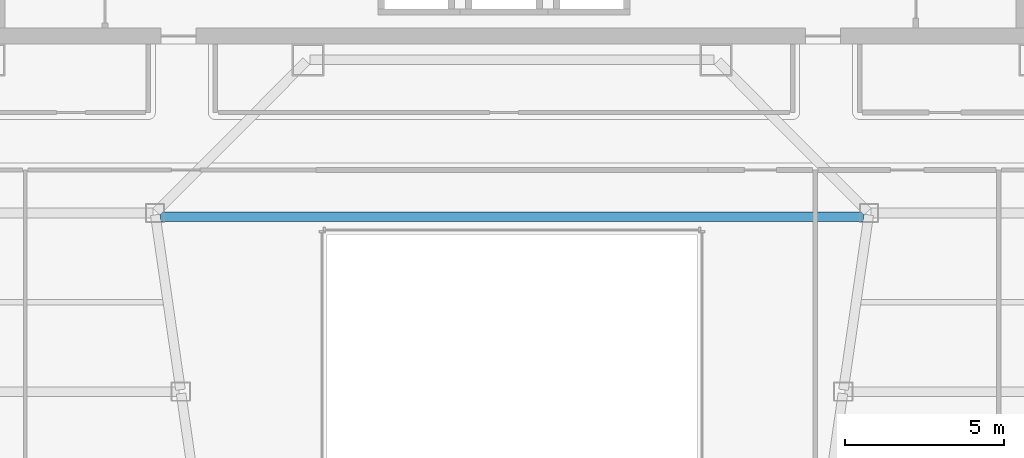
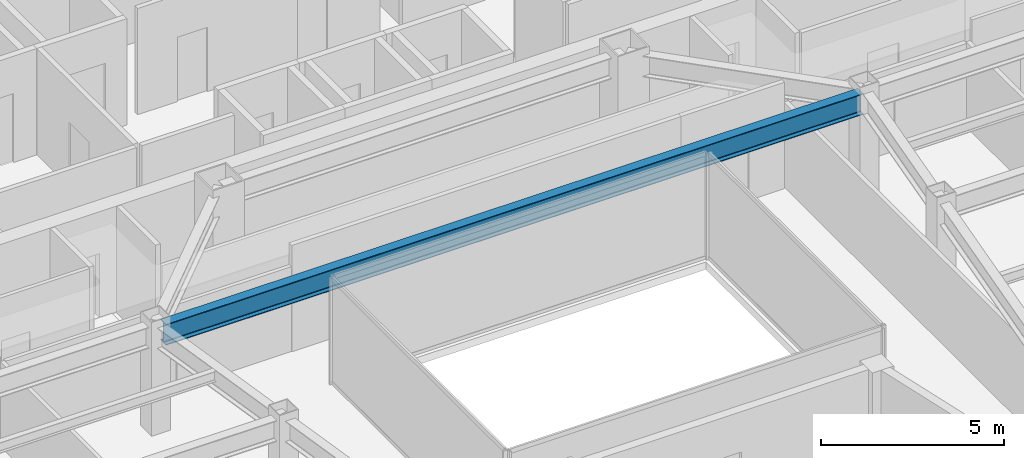
# One storey, part 7 of 31: 1 beam.
"""IFC4 building model written with IfcOpenShell, lengths in metres."""

from ifc_helpers import new_model, si_unit, direction, frame, origin, origin_2d, place, context, subcontext, project, spatial, i_section, extrude, material, material_profile, profile_set, type_object, element, save


model = new_model("IFC4")

# Units and contexts
model_context = context("Model", 3, precision=1e-05, world=origin(), true_north=direction((0.0, 1.0)))
body_context = subcontext(model_context, "Body", "Model", "MODEL_VIEW")
ifc_project = project(units=[si_unit("LENGTHUNIT", "METRE"), si_unit("AREAUNIT", "SQUARE_METRE"), si_unit("VOLUMEUNIT", "CUBIC_METRE"), si_unit("PLANEANGLEUNIT", "RADIAN"), si_unit("MASSUNIT", "GRAM", prefix="KILO")], contexts=[model_context])

# Site, building, storey
site_placement = place(None, origin())
site = spatial("IfcSite", under=ifc_project, at=site_placement, CompositionType="ELEMENT")
building_placement = place(site_placement, origin())
building = spatial("IfcBuilding", under=site, at=building_placement, Name="Saevonmaru Cultural Tower", CompositionType="ELEMENT")
storey_placement = place(building_placement, frame((0.0, 0.0, 167.60009765625)))
storey = spatial("IfcBuildingStorey", under=building, at=storey_placement, Name="L37", CompositionType="ELEMENT", Elevation=167.60009765625)

# Beam
ifc_material = material(Name="Steel SM355", Category="steel")
ifc_material_profile = material_profile(ifc_material, i_section(OverallWidth=0.300048828125, OverallDepth=0.699951171875, WebThickness=0.012939453125, FlangeThickness=0.02392578125, FilletRadius=0.02587890625, at=origin_2d()), Name="H-700x300x13x24")
ifc_profile_set = profile_set([ifc_material_profile], Name="Steel SM355")
beam_type = type_object("IfcBeamType", Name="BM-G-H700", PredefinedType="BEAM", material=ifc_profile_set)
beam_placement = place(storey_placement, frame((18.9833984375, 37.47998046875, 3.199951171875), z_axis=(1.0, 0.0, 0.0), x_axis=(0.0, 1.0, 0.0)))
element("IfcBeam", 1, at=beam_placement, inside=storey, type_object=beam_type, Name="L37 Central Link Girder", PredefinedType="BEAM", context=body_context, shape_type="SweptSolid", body=[
    extrude(i_section(OverallWidth=0.300048828125, OverallDepth=0.699951171875, WebThickness=0.012939453125, FlangeThickness=0.02392578125, FilletRadius=0.02587890625, at=origin_2d()), origin(), (0.0, 0.0, 1.0), 22.033203125),
])

save(model, "model.ifc")
